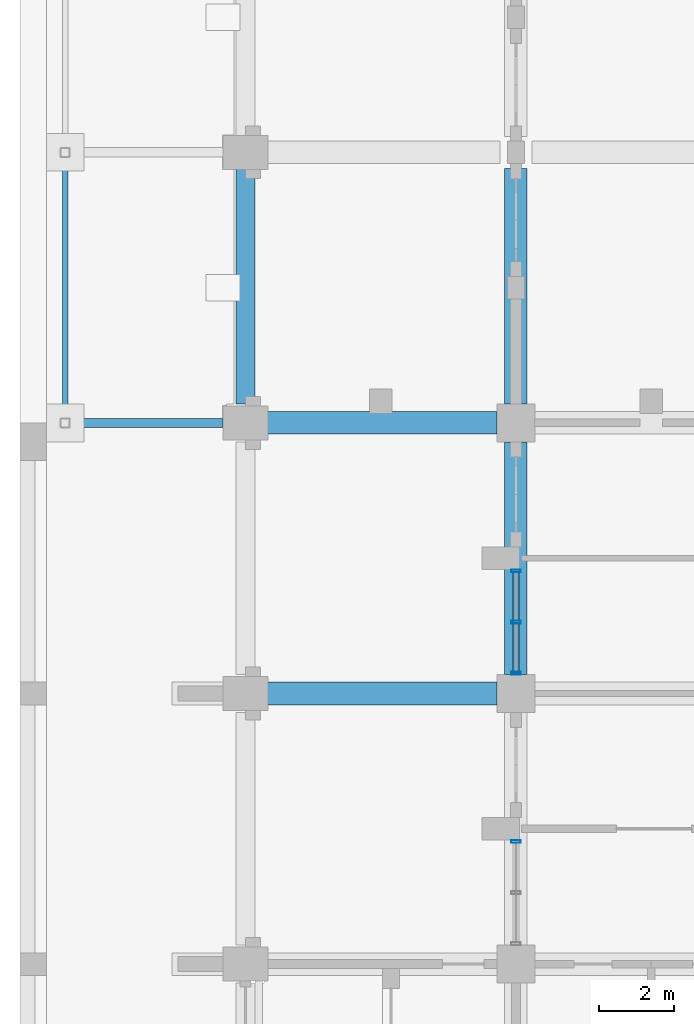
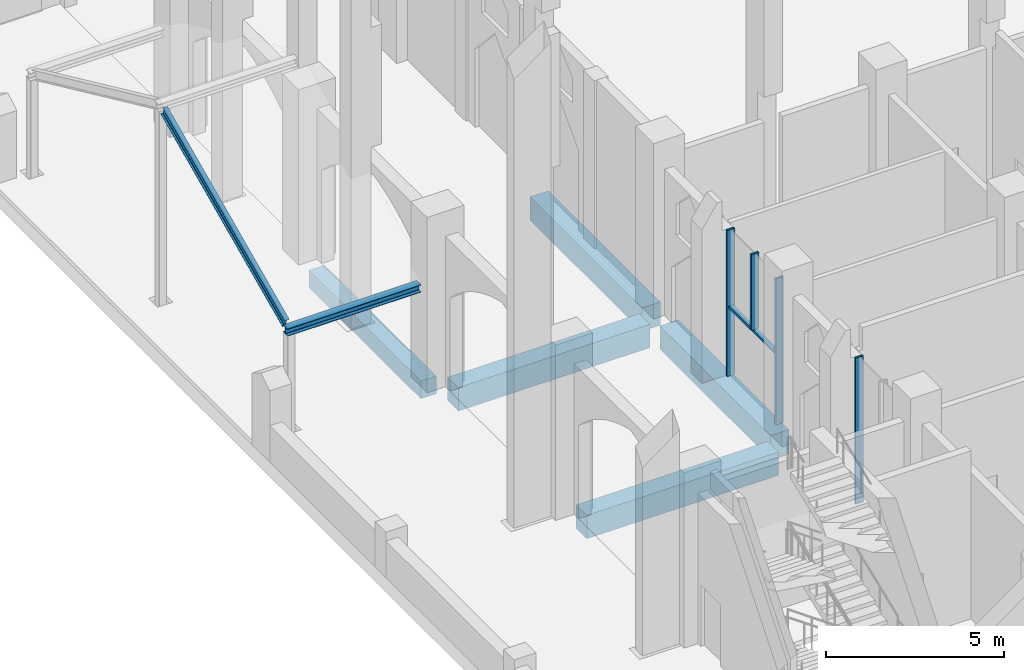
# One storey, part 8 of 50: 6 beams, 6 members, 2 elements without a shape of their own.
"""IFC4 building model written with IfcOpenShell, lengths in metres."""

from ifc_helpers import new_model, si_unit, direction, frame, origin, origin_2d, place, context, subcontext, project, spatial, rectangle, hollow_rectangle, i_section, extrude, material, material_profile, profile_set, type_object, element, aggregate, save


model = new_model("IFC4")

# Units and contexts
model_context = context("Model", 3, precision=1e-05, world=origin(), true_north=direction((0.0, 1.0)))
body_context = subcontext(model_context, "Body", "Model", "MODEL_VIEW")
ifc_project = project(units=[si_unit("LENGTHUNIT", "METRE"), si_unit("AREAUNIT", "SQUARE_METRE"), si_unit("VOLUMEUNIT", "CUBIC_METRE"), si_unit("PLANEANGLEUNIT", "RADIAN"), si_unit("MASSUNIT", "GRAM", prefix="KILO")], contexts=[model_context])

# Site, building, storey
site_placement = place(None, origin())
site = spatial("IfcSite", under=ifc_project, at=site_placement, CompositionType="ELEMENT")
building_placement = place(site_placement, origin())
building = spatial("IfcBuilding", under=site, at=building_placement, Name="Silangan Lancet Faculty of Sciences", CompositionType="ELEMENT")
storey_placement = place(building_placement, origin())
storey = spatial("IfcBuildingStorey", under=building, at=storey_placement, Name="L00", CompositionType="ELEMENT", Elevation=0.0)

# Beams
ifc_material_1 = material(Name="Concrete C40/50", Category="concrete")
ifc_material_profile_1 = material_profile(ifc_material_1, rectangle(XDim=0.5, YDim=0.60009765625, at=origin_2d()), Name="RC 500x600")
ifc_profile_set_1 = profile_set([ifc_material_profile_1], Name="Concrete C40/50")
beam_type_1 = type_object("IfcBeamType", Name="BEAM RC 500x600", PredefinedType="BEAM", material=ifc_profile_set_1)
beam_1_placement = place(storey_placement, frame((0.0, 22.10009765625, -0.60009765625), z_axis=(0.0, 1.0, 0.0), x_axis=(-1.0, 0.0, 0.0)))
element("IfcBeam", 1, at=beam_1_placement, inside=storey, type_object=beam_type_1, Name="BM-L00-1D-1E", PredefinedType="BEAM", context=body_context, shape_type="SweptSolid", body=[
    extrude(rectangle(XDim=0.5, YDim=0.60009765625, at=origin_2d()), origin(), (0.0, 0.0, 1.0), 6.27490234375),
])
ifc_material_2 = material(Name="Concrete C40/50", Category="concrete")
ifc_material_profile_2 = material_profile(ifc_material_2, rectangle(XDim=0.60009765625, YDim=0.800048828125, at=origin_2d()), Name="RC 600x800")
ifc_profile_set_2 = profile_set([ifc_material_profile_2], Name="Concrete C40/50")
beam_type_2 = type_object("IfcBeamType", Name="BEAM RC 600x800", PredefinedType="BEAM", material=ifc_profile_set_2)
for number, where, z_axis, x_axis, name in (
    (2, (0.5, 14.39990234375, -0.699951171875), (1.0, 0.0, 0.0), (0.0, 1.0, 0.0), "BM-L00-1C-2C"),
    (3, (0.5, 21.60009765625, -0.699951171875), (1.0, 0.0, 0.0), (0.0, 1.0, 0.0), "BM-L00-1D-2D"),
):
    element("IfcBeam", number, at=place(storey_placement, frame(where, z_axis=z_axis, x_axis=x_axis)), inside=storey, type_object=beam_type_2, Name=name, PredefinedType="BEAM", context=body_context, shape_type="SweptSolid", body=[
        extrude(rectangle(XDim=0.60009765625, YDim=0.800048828125, at=origin_2d()), origin(), (0.0, 0.0, 1.0), 6.199951171875),
    ])
beam_2_placement = place(storey_placement, frame((7.199951171875, 14.89990234375, -0.699951171875), z_axis=(0.0, 1.0, 0.0), x_axis=(-1.0, 0.0, 0.0)))
element("IfcBeam", 4, at=beam_2_placement, inside=storey, type_object=beam_type_2, Name="BM-L00-2C-2D", PredefinedType="BEAM", context=body_context, shape_type="SweptSolid", body=[
    extrude(rectangle(XDim=0.60009765625, YDim=0.800048828125, at=origin_2d()), origin(), (0.0, 0.0, 1.0), 6.2001953125),
])
beam_3_placement = place(storey_placement, frame((7.199951171875, 22.10009765625, -0.699951171875), z_axis=(0.0, 1.0, 0.0), x_axis=(-1.0, 0.0, 0.0)))
element("IfcBeam", 5, at=beam_3_placement, inside=storey, type_object=beam_type_2, Name="BM-L00-2D-2E", PredefinedType="BEAM", context=body_context, shape_type="SweptSolid", body=[
    extrude(rectangle(XDim=0.60009765625, YDim=0.800048828125, at=origin_2d()), origin(), (0.0, 0.0, 1.0), 6.27490234375),
])

# Curtain wall, member
ifc_material_3 = material(Name="Aluminium framed curtain wall with insulated glass", Category="aluminium")
curtain_wall_type = type_object("IfcCurtainWallType", Name="CW4 Arcade shop front glazing", PredefinedType="NOTDEFINED", material=ifc_material_3)
curtain_wall_1_placement = place(storey_placement, origin())
curtain_wall_1 = element("IfcCurtainWall", 6, at=curtain_wall_1_placement, inside=storey, type_object=curtain_wall_type, Name="CW4 Shop front south L00 bay 1", PredefinedType="NOTDEFINED")
ifc_material_4 = material(Name="Aluminium 6063-T6 extrusion", Category="aluminium")
ifc_material_profile_3 = material_profile(ifc_material_4, hollow_rectangle(XDim=0.074951171875, YDim=0.25, WallThickness=0.006103515625, at=origin_2d()), Name="AL BOX 75x250x6")
ifc_profile_set_3 = profile_set([ifc_material_profile_3], Name="Aluminium 6063-T6 extrusion")
member_type_1 = type_object("IfcMemberType", Name="CM3 Mullion 75x250", PredefinedType="MULLION", material=ifc_profile_set_3)
member_1_placement = place(storey_placement, frame((7.199951171875, 10.46240234375, 0.0), z_axis=(0.0, 0.0, 1.0), x_axis=(0.0, 1.0, 0.0)))
member_1 = element("IfcMember", 7, at=member_1_placement, type_object=member_type_1, Name="CW4 Shop front south L00 bay 1 mullion 2", PredefinedType="MULLION", context=body_context, shape_type="SweptSolid", body=[
    extrude(hollow_rectangle(XDim=0.074951171875, YDim=0.25, WallThickness=0.006103515625, at=origin_2d()), origin(), (0.0, 0.0, 1.0), 5.0),
])
aggregate(curtain_wall_1, [member_1])

# Curtain wall, members
curtain_wall_2_placement = place(storey_placement, origin())
curtain_wall_2 = element("IfcCurtainWall", 8, at=curtain_wall_2_placement, inside=storey, type_object=curtain_wall_type, Name="CW4 Shop front south L00 bay 3", PredefinedType="NOTDEFINED")
member_2_placement = place(storey_placement, frame((7.199951171875, 14.9375, 0.0), z_axis=(0.0, 0.0, 1.0), x_axis=(0.0, 1.0, 0.0)))
member_2 = element("IfcMember", 9, at=member_2_placement, type_object=member_type_1, Name="CW4 Shop front south L00 bay 3 mullion 1", PredefinedType="MULLION", context=body_context, shape_type="SweptSolid", body=[
    extrude(hollow_rectangle(XDim=0.074951171875, YDim=0.25, WallThickness=0.006103515625, at=origin_2d()), origin(), (0.0, 0.0, 1.0), 5.0),
])
member_3_placement = place(storey_placement, frame((7.199951171875, 17.66259765625, 0.0), z_axis=(0.0, 0.0, 1.0), x_axis=(0.0, 1.0, 0.0)))
member_3 = element("IfcMember", 10, at=member_3_placement, type_object=member_type_1, Name="CW4 Shop front south L00 bay 3 mullion 2", PredefinedType="MULLION", context=body_context, shape_type="SweptSolid", body=[
    extrude(hollow_rectangle(XDim=0.074951171875, YDim=0.25, WallThickness=0.006103515625, at=origin_2d()), origin(), (0.0, 0.0, 1.0), 5.0),
])
member_4_placement = place(storey_placement, frame((7.199951171875, 16.300048828125, 2.39990234375), z_axis=(0.0, 0.0, 1.0), x_axis=(0.0, 1.0, 0.0)))
member_4 = element("IfcMember", 11, at=member_4_placement, type_object=member_type_1, Name="CW4 Shop front south L00 bay 3 mullion 3", PredefinedType="MULLION", context=body_context, shape_type="SweptSolid", body=[
    extrude(hollow_rectangle(XDim=0.074951171875, YDim=0.25, WallThickness=0.006103515625, at=origin_2d()), origin(), (0.0, 0.0, 1.0), 2.60009765625),
])
ifc_material_5 = material(Name="Aluminium 6063-T6 extrusion", Category="aluminium")
ifc_material_profile_4 = material_profile(ifc_material_5, hollow_rectangle(XDim=0.14990234375, YDim=0.074951171875, WallThickness=0.0029296875, at=origin_2d()), Name="AL BOX 150x75x3")
ifc_profile_set_4 = profile_set([ifc_material_profile_4], Name="Aluminium 6063-T6 extrusion")
member_type_2 = type_object("IfcMemberType", Name="CT4 Transom 150x75", PredefinedType="USERDEFINED", material=ifc_profile_set_4)
member_5_placement = place(storey_placement, frame((7.199951171875, 14.97509765625, 2.362548828125), z_axis=(0.0, 1.0, 0.0), x_axis=(-1.0, 0.0, 0.0)))
member_5 = element("IfcMember", 12, at=member_5_placement, type_object=member_type_2, Name="CW4 Shop front south L00 bay 3 transom 1", ObjectType="TRANSOM", PredefinedType="USERDEFINED", context=body_context, shape_type="SweptSolid", body=[
    extrude(hollow_rectangle(XDim=0.14990234375, YDim=0.074951171875, WallThickness=0.0029296875, at=origin_2d()), origin(), (0.0, 0.0, 1.0), 2.64990234375),
])
aggregate(curtain_wall_2, [member_2, member_3, member_4, member_5])

# Member
ifc_material_6 = material(Name="Steel SS400", Category="steel")
ifc_material_profile_5 = material_profile(ifc_material_6, i_section(OverallWidth=0.14990234375, OverallDepth=0.300048828125, WebThickness=0.006591796875, FlangeThickness=0.009033203125, FilletRadius=0.012939453125, at=origin_2d()), Name="H 300x150x6.5x9")
ifc_profile_set_5 = profile_set([ifc_material_profile_5], Name="Steel SS400")
member_type_3 = type_object("IfcMemberType", Name="Canopy rafter H 300x150x6.5x9", PredefinedType="RAFTER", material=ifc_profile_set_5)
member_6_placement = place(storey_placement, frame((-4.800048828125, 21.78759765625, 3.478759765625), z_axis=(0.0, 0.908488478455, 0.417909899995), x_axis=(-1.0, 0.0, 0.0)))
element("IfcMember", 13, at=member_6_placement, inside=storey, type_object=member_type_3, Name="Porch rafter south", PredefinedType="RAFTER", context=body_context, shape_type="SweptSolid", body=[
    extrude(i_section(OverallWidth=0.14990234375, OverallDepth=0.300048828125, WebThickness=0.006591796875, FlangeThickness=0.009033203125, FilletRadius=0.012939453125, at=origin_2d()), origin(), (0.0, 0.0, 1.0), 7.51220703125),
])

# Beam
ifc_material_7 = material(Name="Steel SS400", Category="steel")
ifc_material_profile_6 = material_profile(ifc_material_7, i_section(OverallWidth=0.25, OverallDepth=0.25, WebThickness=0.009033203125, FlangeThickness=0.013916015625, FilletRadius=0.01611328125, at=origin_2d()), Name="H 250x250x9x14")
ifc_profile_set_6 = profile_set([ifc_material_profile_6], Name="Steel SS400")
beam_type_3 = type_object("IfcBeamType", Name="Porch beam H 250x250x9x14", PredefinedType="BEAM", material=ifc_profile_set_6)
beam_4_placement = place(storey_placement, frame((-0.60009765625, 21.60009765625, 3.375), z_axis=(-1.0, 0.0, 0.0), x_axis=(0.0, -1.0, 0.0)))
element("IfcBeam", 14, at=beam_4_placement, inside=storey, type_object=beam_type_3, Name="Porch eave beam south", PredefinedType="BEAM", context=body_context, shape_type="SweptSolid", body=[
    extrude(i_section(OverallWidth=0.25, OverallDepth=0.25, WebThickness=0.009033203125, FlangeThickness=0.013916015625, FilletRadius=0.01611328125, at=origin_2d()), origin(), (0.0, 0.0, 1.0), 4.324951171875),
])

save(model, "model.ifc")
